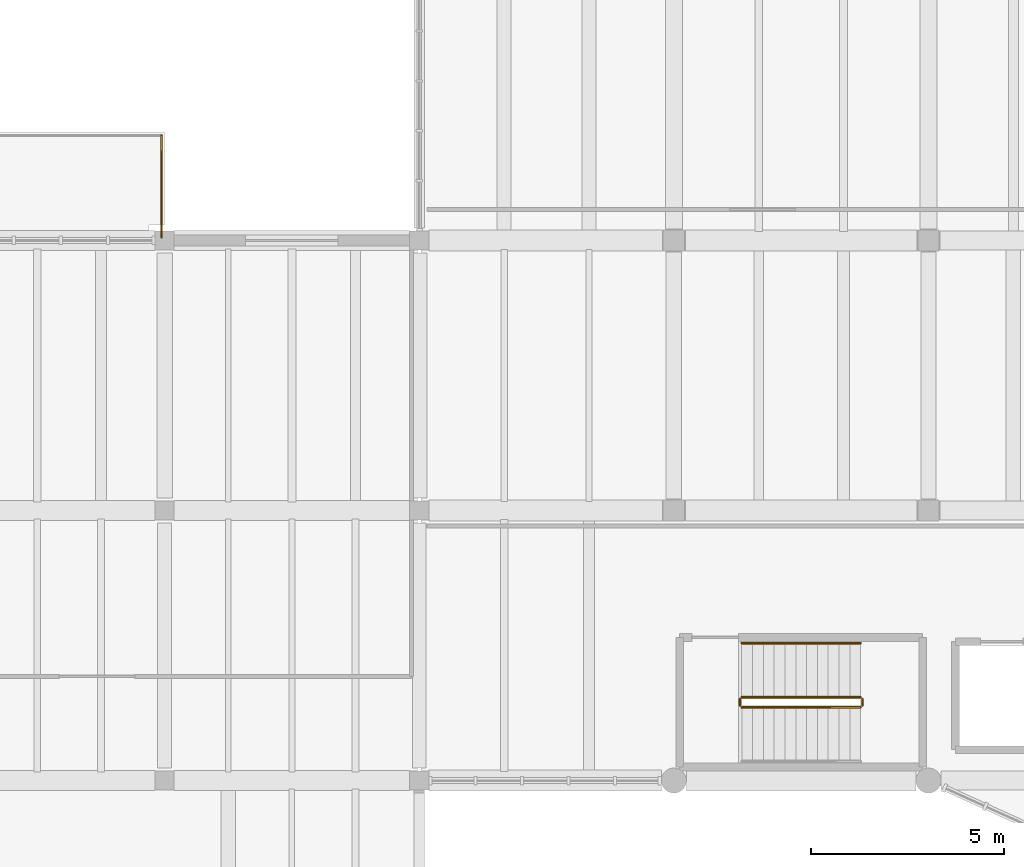
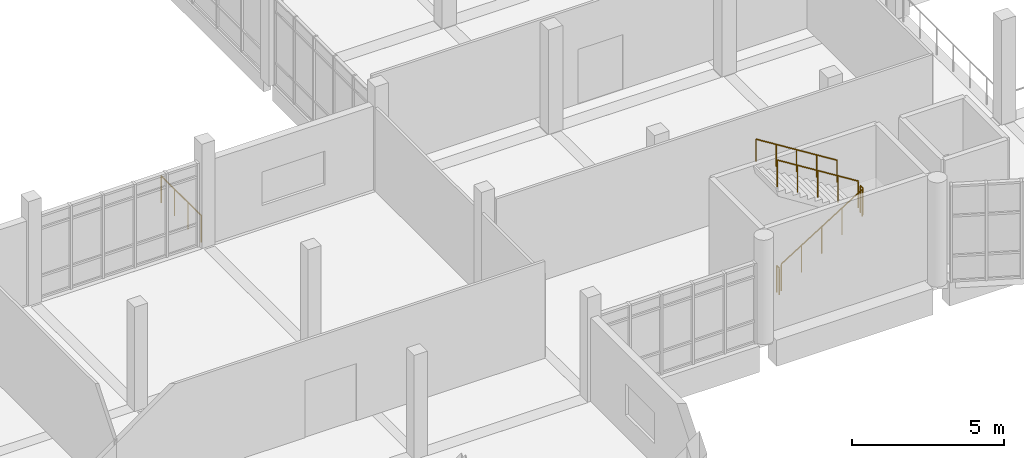
# One storey, part 58 of 65: 6 railings.
"""IFC4 building model written with IfcOpenShell, lengths in metres."""

from ifc_helpers import new_model, si_unit, direction, frame, origin, origin_2d, place, context, subcontext, project, spatial, circle, extrude, material, type_object, element, save


model = new_model("IFC4")

# Units and contexts
model_context = context("Model", 3, precision=1e-05, world=origin(), true_north=direction((0.0, 1.0)))
body_context = subcontext(model_context, "Body", "Model", "MODEL_VIEW")
ifc_project = project(units=[si_unit("LENGTHUNIT", "METRE"), si_unit("AREAUNIT", "SQUARE_METRE"), si_unit("VOLUMEUNIT", "CUBIC_METRE"), si_unit("PLANEANGLEUNIT", "RADIAN"), si_unit("MASSUNIT", "GRAM", prefix="KILO")], contexts=[model_context])

# Site, building, storey
site_placement = place(None, origin())
site = spatial("IfcSite", under=ifc_project, at=site_placement, CompositionType="ELEMENT")
building_placement = place(site_placement, origin())
building = spatial("IfcBuilding", under=site, at=building_placement, Name="Ciguamira Faculty of Natural Sciences", CompositionType="ELEMENT")
storey_placement = place(building_placement, frame((0.0, 0.0, 12.60009765625)))
storey = spatial("IfcBuildingStorey", under=building, at=storey_placement, Name="L03", CompositionType="ELEMENT", Elevation=12.60009765625)

# Railings
ifc_material_1 = material(Name="Stainless steel balustrade", Category="steel")
railing_type_1 = type_object("IfcRailingType", Name="Guardrail_GR01", PredefinedType="GUARDRAIL", material=ifc_material_1)
railing_1_placement = place(storey_placement, frame((44.02001953125, 24.080078125, 0.0)))
element("IfcRailing", 1, at=railing_1_placement, inside=storey, type_object=railing_type_1, Name="L03 Commons North Reading Terrace east guardrail", PredefinedType="GUARDRAIL", context=body_context, shape_type="SweptSolid", body=[
    extrude(circle(Radius=0.02392578125, at=origin_2d()), frame((0.0, 0.0, 1.076171875), z_axis=(0.0, 1.0, 0.0), x_axis=(-1.0, 0.0, 0.0)), (0.0, 0.0, 1.0), 2.639892578125),
    extrude(circle(Radius=0.02099609375, at=origin_2d()), origin(), (0.0, 0.0, 1.0), 1.052001953125),
    extrude(circle(Radius=0.02099609375, at=origin_2d()), frame((0.0, 0.8798828125, 0.0)), (0.0, 0.0, 1.0), 1.052001953125),
    extrude(circle(Radius=0.02099609375, at=origin_2d()), frame((0.0, 1.760009765625, 0.0)), (0.0, 0.0, 1.0), 1.052001953125),
    extrude(circle(Radius=0.02099609375, at=origin_2d()), frame((0.0, 2.639892578125, 0.0)), (0.0, 0.0, 1.0), 1.052001953125),
])
railing_2_placement = place(storey_placement, frame((59.06005859375, 11.89990234375, 0.1748046875)))
element("IfcRailing", 2, at=railing_2_placement, inside=storey, type_object=railing_type_1, Name="L03 ST-A1 stair guard 1", PredefinedType="GUARDRAIL", context=body_context, shape_type="SweptSolid", body=[
    extrude(circle(Radius=0.02392578125, at=origin_2d()), frame((0.0, 0.0, 1.076171875), z_axis=(0.847979421464, 0.0, 0.530029150871), x_axis=(0.0, 1.0, 0.0)), (0.0, 0.0, 1.0), 3.632080078125),
    extrude(circle(Radius=0.02099609375, at=origin_2d()), origin(), (0.0, 0.0, 1.0), 1.052001953125),
    extrude(circle(Radius=0.02099609375, at=origin_2d()), frame((0.77001953125, 0.0, 0.481201171875)), (0.0, 0.0, 1.0), 1.052001953125),
    extrude(circle(Radius=0.02099609375, at=origin_2d()), frame((1.5400390625, 0.0, 0.96240234375)), (0.0, 0.0, 1.0), 1.052001953125),
    extrude(circle(Radius=0.02099609375, at=origin_2d()), frame((2.309814453125, 0.0, 1.44384765625)), (0.0, 0.0, 1.0), 1.052001953125),
    extrude(circle(Radius=0.02099609375, at=origin_2d()), frame((3.079833984375, 0.0, 1.925048828125)), (0.0, 0.0, 1.0), 1.052001953125),
])
railing_3_placement = place(storey_placement, frame((62.18994140625, 11.949951171875, 2.099853515625)))
element("IfcRailing", 3, at=railing_3_placement, inside=storey, type_object=railing_type_1, Name="L03 ST-A1 stair guard 2", PredefinedType="GUARDRAIL", context=body_context, shape_type="SweptSolid", body=[
    extrude(circle(Radius=0.02392578125, at=origin_2d()), frame((0.0, 0.0, 1.076171875), z_axis=(0.0, 1.0, 0.0), x_axis=(-1.0, 0.0, 0.0)), (0.0, 0.0, 1.0), 0.16015625),
    extrude(circle(Radius=0.02099609375, at=origin_2d()), origin(), (0.0, 0.0, 1.0), 1.052001953125),
    extrude(circle(Radius=0.02099609375, at=origin_2d()), frame((0.0, 0.16015625, 0.0)), (0.0, 0.0, 1.0), 1.052001953125),
])
railing_4_placement = place(storey_placement, frame((62.139892578125, 12.159912109375, 2.27490234375)))
element("IfcRailing", 4, at=railing_4_placement, inside=storey, type_object=railing_type_1, Name="L03 ST-A1 stair guard 3", PredefinedType="GUARDRAIL", context=body_context, shape_type="SweptSolid", body=[
    extrude(circle(Radius=0.02392578125, at=origin_2d()), frame((0.0, 0.0, 1.076171875), z_axis=(-0.847979421464, 0.0, 0.530029150871), x_axis=(0.0, -1.0, 0.0)), (0.0, 0.0, 1.0), 3.632080078125),
    extrude(circle(Radius=0.02099609375, at=origin_2d()), origin(), (0.0, 0.0, 1.0), 1.052001953125),
    extrude(circle(Radius=0.02099609375, at=origin_2d()), frame((-0.77001953125, 0.0, 0.481201171875)), (0.0, 0.0, 1.0), 1.052001953125),
    extrude(circle(Radius=0.02099609375, at=origin_2d()), frame((-1.5400390625, 0.0, 0.96240234375)), (0.0, 0.0, 1.0), 1.052001953125),
    extrude(circle(Radius=0.02099609375, at=origin_2d()), frame((-2.309814453125, 0.0, 1.44384765625)), (0.0, 0.0, 1.0), 1.052001953125),
    extrude(circle(Radius=0.02099609375, at=origin_2d()), frame((-3.079833984375, 0.0, 1.925048828125)), (0.0, 0.0, 1.0), 1.052001953125),
])
railing_5_placement = place(storey_placement, frame((59.010009765625, 11.949951171875, 0.0)))
element("IfcRailing", 5, at=railing_5_placement, inside=storey, type_object=railing_type_1, Name="L03 ST-A1 stair guard 4", PredefinedType="GUARDRAIL", context=body_context, shape_type="SweptSolid", body=[
    extrude(circle(Radius=0.02392578125, at=origin_2d()), frame((0.0, 0.0, 1.076171875), z_axis=(0.0, 1.0, 0.0), x_axis=(-1.0, 0.0, 0.0)), (0.0, 0.0, 1.0), 0.16015625),
    extrude(circle(Radius=0.02099609375, at=origin_2d()), origin(), (0.0, 0.0, 1.0), 1.052001953125),
    extrude(circle(Radius=0.02099609375, at=origin_2d()), frame((0.0, 0.16015625, 0.0)), (0.0, 0.0, 1.0), 1.052001953125),
])
ifc_material_2 = material(Name="Stainless steel handrail", Category="steel")
railing_type_2 = type_object("IfcRailingType", Name="Handrail_HR01", PredefinedType="HANDRAIL", material=ifc_material_2)
railing_6_placement = place(storey_placement, frame((62.139892578125, 13.56005859375, 2.449951171875)))
element("IfcRailing", 6, at=railing_6_placement, inside=storey, type_object=railing_type_2, Name="L03 ST-A1 stair handrail 2", PredefinedType="HANDRAIL", context=body_context, shape_type="SweptSolid", body=[
    extrude(circle(Radius=0.02392578125, at=origin_2d()), frame((0.0, 0.0, 0.89111328125), z_axis=(-0.847979421464, 0.0, 0.530029150871), x_axis=(0.0, -1.0, 0.0)), (0.0, 0.0, 1.0), 3.632080078125),
    extrude(circle(Radius=0.02099609375, at=origin_2d()), origin(), (0.0, 0.0, 1.0), 0.866943359375),
    extrude(circle(Radius=0.02099609375, at=origin_2d()), frame((-0.77001953125, 0.0, 0.481201171875)), (0.0, 0.0, 1.0), 0.866943359375),
    extrude(circle(Radius=0.02099609375, at=origin_2d()), frame((-1.5400390625, 0.0, 0.96240234375)), (0.0, 0.0, 1.0), 0.866943359375),
    extrude(circle(Radius=0.02099609375, at=origin_2d()), frame((-2.309814453125, 0.0, 1.44384765625)), (0.0, 0.0, 1.0), 0.866943359375),
    extrude(circle(Radius=0.02099609375, at=origin_2d()), frame((-3.079833984375, 0.0, 1.925048828125)), (0.0, 0.0, 1.0), 0.866943359375),
])

save(model, "model.ifc")
